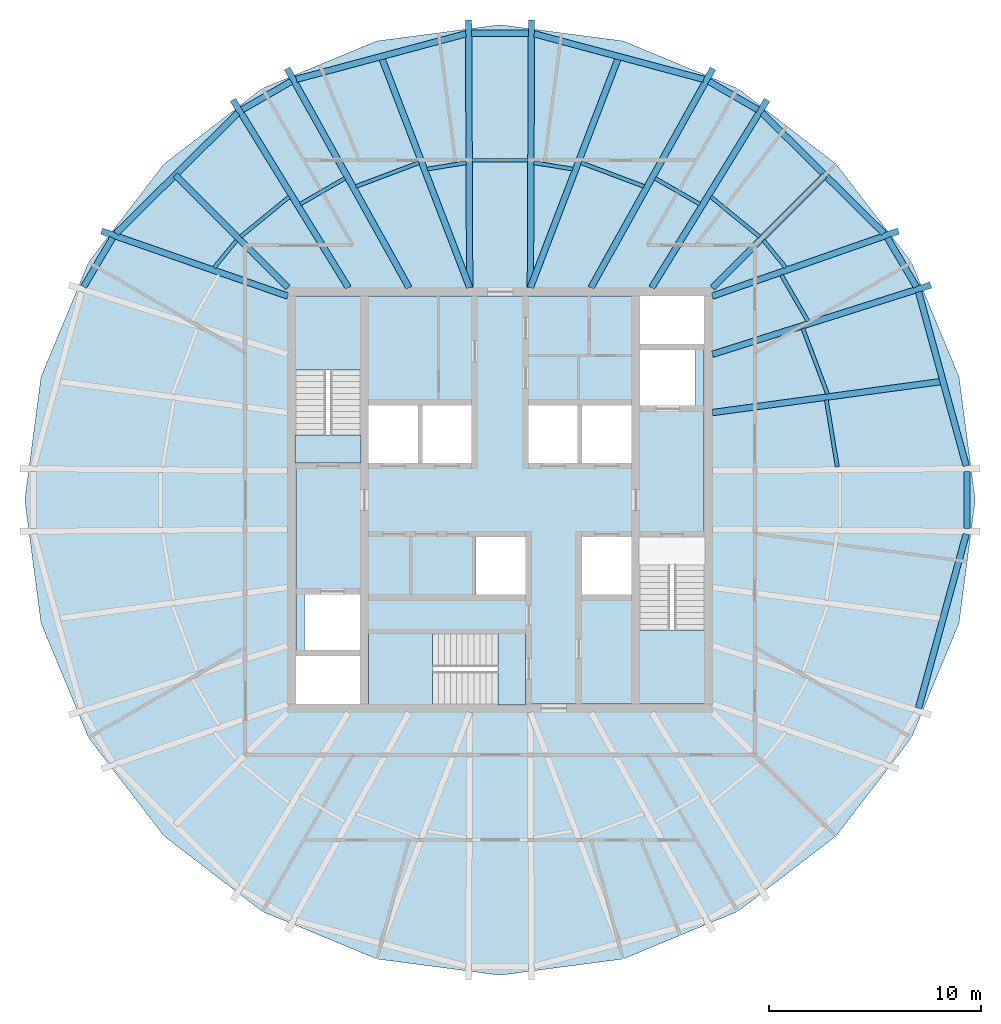
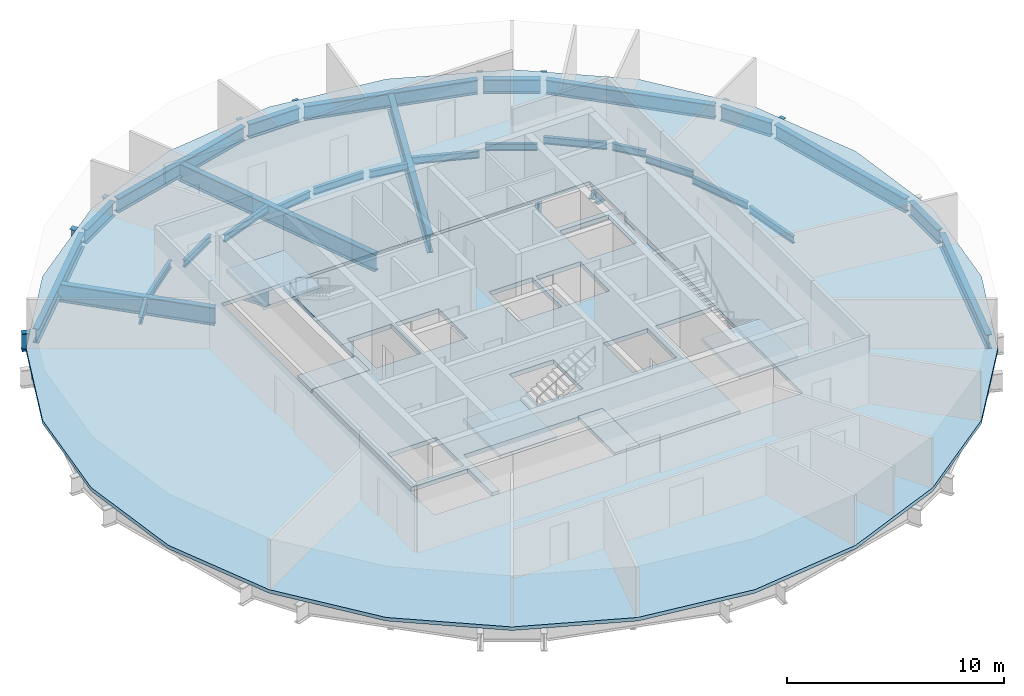
# One storey, part 2 of 6: 40 beams, 7 slabs, 3 elements without a shape of their own.
"""IFC4 building model written with IfcOpenShell, lengths in metres."""

from ifc_helpers import new_model, si_unit, direction, frame, origin, origin_2d, place, context, subcontext, project, spatial, polyline, i_section, outline, extrude, material, layer, layer_set, material_profile, profile_set, type_object, element, aggregate, save


model = new_model("IFC4")

# Units and contexts
model_context = context("Model", 3, precision=1e-05, world=origin(), true_north=direction((0.0, 1.0)))
body_context = subcontext(model_context, "Body", "Model", "MODEL_VIEW")
ifc_project = project(units=[si_unit("LENGTHUNIT", "METRE"), si_unit("AREAUNIT", "SQUARE_METRE"), si_unit("VOLUMEUNIT", "CUBIC_METRE"), si_unit("PLANEANGLEUNIT", "RADIAN"), si_unit("MASSUNIT", "GRAM", prefix="KILO")], contexts=[model_context])

# Site, building, storey
site_placement = place(None, origin())
site = spatial("IfcSite", under=ifc_project, at=site_placement, CompositionType="ELEMENT")
building_placement = place(site_placement, origin())
building = spatial("IfcBuilding", under=site, at=building_placement, Name="Golbaran Civic Tower", CompositionType="ELEMENT")
storey_placement = place(building_placement, frame((0.0, 0.0, 252.0)))
storey = spatial("IfcBuildingStorey", under=building, at=storey_placement, Name="L61", CompositionType="ELEMENT", Elevation=252.0)

# Beams
ifc_material_1 = material(Name="Steel S355", Category="steel")
ifc_material_profile_1 = material_profile(ifc_material_1, i_section(OverallWidth=0.300048828125, OverallDepth=0.800048828125, WebThickness=0.017578125, FlangeThickness=0.032958984375, FilletRadius=0.030029296875, at=origin_2d()), Name="HEB 800")
ifc_profile_set_1 = profile_set([ifc_material_profile_1], Name="Steel S355")
beam_type_1 = type_object("IfcBeamType", Name="EDGE BEAM HEB 800", PredefinedType="BEAM", material=ifc_profile_set_1)
beam_1_placement = place(storey_placement, frame((21.945068359375, 1.604248046875, -0.60009765625), z_axis=(-0.2639854018, 0.964526675441, 0.0), x_axis=(-0.964526675441, -0.2639854018, 0.0)))
element("IfcBeam", 1, at=beam_1_placement, inside=storey, type_object=beam_type_1, Name="Edge beam 3.68 L61", PredefinedType="BEAM", context=body_context, shape_type="SweptSolid", body=[
    extrude(i_section(OverallWidth=0.300048828125, OverallDepth=0.800048828125, WebThickness=0.017578125, FlangeThickness=0.032958984375, FilletRadius=0.030029296875, at=origin_2d()), origin(), (0.0, 0.0, 1.0), 8.495361328125),
])
beam_2_placement = place(storey_placement, frame((19.600341796875, 10.03857421875, -0.60009765625), z_axis=(-0.509116713484, 0.860697491602, 0.0), x_axis=(-0.860697491602, -0.509116713484, 0.0)))
element("IfcBeam", 2, at=beam_2_placement, inside=storey, type_object=beam_type_1, Name="Edge beam 26.32 L61", PredefinedType="BEAM", context=body_context, shape_type="SweptSolid", body=[
    extrude(i_section(OverallWidth=0.300048828125, OverallDepth=0.800048828125, WebThickness=0.017578125, FlangeThickness=0.032958984375, FilletRadius=0.030029296875, at=origin_2d()), origin(), (0.0, 0.0, 1.0), 2.6748046875),
])
beam_3_placement = place(storey_placement, frame((18.068115234375, 12.556884765625, -0.60009765625), z_axis=(-0.711084081666, 0.703106982473, 0.0), x_axis=(-0.703106982473, -0.711084081666, 0.0)))
element("IfcBeam", 3, at=beam_3_placement, inside=storey, type_object=beam_type_1, Name="Edge beam 33.68 L61", PredefinedType="BEAM", context=body_context, shape_type="SweptSolid", body=[
    extrude(i_section(OverallWidth=0.300048828125, OverallDepth=0.800048828125, WebThickness=0.017578125, FlangeThickness=0.032958984375, FilletRadius=0.030029296875, at=origin_2d()), origin(), (0.0, 0.0, 1.0), 8.049072265625),
])
beam_4_placement = place(storey_placement, frame((12.136962890625, 18.375244140625, -0.60009765625), z_axis=(-0.866179473096, 0.499733049124, 0.0), x_axis=(-0.499733049124, -0.866179473096, 0.0)))
element("IfcBeam", 4, at=beam_4_placement, inside=storey, type_object=beam_type_1, Name="Edge beam 56.32 L61", PredefinedType="BEAM", context=body_context, shape_type="SweptSolid", body=[
    extrude(i_section(OverallWidth=0.300048828125, OverallDepth=0.800048828125, WebThickness=0.017578125, FlangeThickness=0.032958984375, FilletRadius=0.030029296875, at=origin_2d()), origin(), (0.0, 0.0, 1.0), 2.65966796875),
])
beam_5_placement = place(storey_placement, frame((9.59130859375, 19.803955078125, -0.60009765625), z_axis=(-0.965846984798, 0.259113106492, 0.0), x_axis=(-0.259113106492, -0.965846984798, 0.0)))
element("IfcBeam", 5, at=beam_5_placement, inside=storey, type_object=beam_type_1, Name="Edge beam 63.68 L61", PredefinedType="BEAM", context=body_context, shape_type="SweptSolid", body=[
    extrude(i_section(OverallWidth=0.300048828125, OverallDepth=0.800048828125, WebThickness=0.017578125, FlangeThickness=0.032958984375, FilletRadius=0.030029296875, at=origin_2d()), origin(), (0.0, 0.0, 1.0), 8.26416015625),
])
beam_6_placement = place(storey_placement, frame((1.349365234375, 21.980224609375, -0.60009765625), z_axis=(-1.0, 0.0, 0.0), x_axis=(0.0, -1.0, 0.0)))
element("IfcBeam", 6, at=beam_6_placement, inside=storey, type_object=beam_type_1, Name="Edge beam 86.32 L61", PredefinedType="BEAM", context=body_context, shape_type="SweptSolid", body=[
    extrude(i_section(OverallWidth=0.300048828125, OverallDepth=0.800048828125, WebThickness=0.017578125, FlangeThickness=0.032958984375, FilletRadius=0.030029296875, at=origin_2d()), origin(), (0.0, 0.0, 1.0), 2.69873046875),
])
beam_7_placement = place(storey_placement, frame((-1.609375, 21.9453125, -0.60009765625), z_axis=(-0.965846984798, -0.259113106492, 0.0), x_axis=(0.259113106492, -0.965846984798, 0.0)))
element("IfcBeam", 7, at=beam_7_placement, inside=storey, type_object=beam_type_1, Name="Edge beam 93.68 L61", PredefinedType="BEAM", context=body_context, shape_type="SweptSolid", body=[
    extrude(i_section(OverallWidth=0.300048828125, OverallDepth=0.800048828125, WebThickness=0.017578125, FlangeThickness=0.032958984375, FilletRadius=0.030029296875, at=origin_2d()), origin(), (0.0, 0.0, 1.0), 8.26416015625),
])
beam_8_placement = place(storey_placement, frame((-9.833251953125, 19.704345703125, -0.60009765625), z_axis=(-0.866179473096, -0.499733049124, 0.0), x_axis=(0.499733049124, -0.866179473096, 0.0)))
element("IfcBeam", 8, at=beam_8_placement, inside=storey, type_object=beam_type_1, Name="Edge beam 116.32 L61", PredefinedType="BEAM", context=body_context, shape_type="SweptSolid", body=[
    extrude(i_section(OverallWidth=0.300048828125, OverallDepth=0.800048828125, WebThickness=0.017578125, FlangeThickness=0.032958984375, FilletRadius=0.030029296875, at=origin_2d()), origin(), (0.0, 0.0, 1.0), 2.65966796875),
])
beam_9_placement = place(storey_placement, frame((-12.344482421875, 18.21630859375, -0.60009765625), z_axis=(-0.711084081666, -0.703106982473, 0.0), x_axis=(0.703106982473, -0.711084081666, 0.0)))
element("IfcBeam", 9, at=beam_9_placement, inside=storey, type_object=beam_type_1, Name="Edge beam 123.68 L61", PredefinedType="BEAM", context=body_context, shape_type="SweptSolid", body=[
    extrude(i_section(OverallWidth=0.300048828125, OverallDepth=0.800048828125, WebThickness=0.017578125, FlangeThickness=0.032958984375, FilletRadius=0.030029296875, at=origin_2d()), origin(), (0.0, 0.0, 1.0), 8.049072265625),
])
beam_10_placement = place(storey_placement, frame((-18.238525390625, 12.3408203125, -0.60009765625), z_axis=(-0.509116713484, -0.860697491602, 0.0), x_axis=(0.860697491602, -0.509116713484, 0.0)))
element("IfcBeam", 10, at=beam_10_placement, inside=storey, type_object=beam_type_1, Name="Edge beam 146.32 L61", PredefinedType="BEAM", context=body_context, shape_type="SweptSolid", body=[
    extrude(i_section(OverallWidth=0.300048828125, OverallDepth=0.800048828125, WebThickness=0.017578125, FlangeThickness=0.032958984375, FilletRadius=0.030029296875, at=origin_2d()), origin(), (0.0, 0.0, 1.0), 2.6748046875),
])
beam_11_placement = place(storey_placement, frame((19.702392578125, -9.79833984375, -0.60009765625), z_axis=(0.2639854018, 0.964526675441, 0.0), x_axis=(-0.964526675441, 0.2639854018, 0.0)))
element("IfcBeam", 11, at=beam_11_placement, inside=storey, type_object=beam_type_1, Name="Edge beam 333.68 L61", PredefinedType="BEAM", context=body_context, shape_type="SweptSolid", body=[
    extrude(i_section(OverallWidth=0.300048828125, OverallDepth=0.800048828125, WebThickness=0.017578125, FlangeThickness=0.032958984375, FilletRadius=0.030029296875, at=origin_2d()), origin(), (0.0, 0.0, 1.0), 8.495361328125),
])
beam_12_placement = place(storey_placement, frame((21.98046875, -1.344482421875, -0.60009765625), z_axis=(0.0, 1.0, 0.0), x_axis=(-1.0, 0.0, 0.0)))
element("IfcBeam", 12, at=beam_12_placement, inside=storey, type_object=beam_type_1, Name="Edge beam 356.32 L61", PredefinedType="BEAM", context=body_context, shape_type="SweptSolid", body=[
    extrude(i_section(OverallWidth=0.300048828125, OverallDepth=0.800048828125, WebThickness=0.017578125, FlangeThickness=0.032958984375, FilletRadius=0.030029296875, at=origin_2d()), origin(), (0.0, 0.0, 1.0), 2.68896484375),
])
ifc_material_profile_2 = material_profile(ifc_material_1, i_section(OverallWidth=0.179931640625, OverallDepth=0.39990234375, WebThickness=0.008544921875, FlangeThickness=0.013427734375, FilletRadius=0.02099609375, at=origin_2d()), Name="IPE 400")
ifc_profile_set_2 = profile_set([ifc_material_profile_2], Name="Steel S355")
beam_type_2 = type_object("IfcBeamType", Name="FLOOR INFILL BEAM IPE 400", PredefinedType="BEAM", material=ifc_profile_set_2)
beam_13_placement = place(storey_placement, frame((15.879638671875, 1.552001953125, -0.39990234375), z_axis=(-0.162283906091, 0.98674410757, 0.0), x_axis=(-0.98674410757, -0.162283906091, 0.0)))
element("IfcBeam", 13, at=beam_13_placement, inside=storey, type_object=beam_type_2, Name="Infill beam 9.34 L61", PredefinedType="BEAM", context=body_context, shape_type="SweptSolid", body=[
    extrude(i_section(OverallWidth=0.179931640625, OverallDepth=0.39990234375, WebThickness=0.008544921875, FlangeThickness=0.013427734375, FilletRadius=0.02099609375, at=origin_2d()), origin(), (0.0, 0.0, 1.0), 3.201416015625),
])
beam_14_placement = place(storey_placement, frame((15.42041015625, 4.9814453125, -0.39990234375), z_axis=(-0.352881374098, 0.93566806925, 0.0), x_axis=(-0.93566806925, -0.352881374098, 0.0)))
element("IfcBeam", 14, at=beam_14_placement, inside=storey, type_object=beam_type_2, Name="Infill beam 20.66 L61", PredefinedType="BEAM", context=body_context, shape_type="SweptSolid", body=[
    extrude(i_section(OverallWidth=0.179931640625, OverallDepth=0.39990234375, WebThickness=0.008544921875, FlangeThickness=0.013427734375, FilletRadius=0.02099609375, at=origin_2d()), origin(), (0.0, 0.0, 1.0), 3.301513671875),
])
beam_15_placement = place(storey_placement, frame((14.496826171875, 8.419921875, -0.39990234375), z_axis=(-0.499997360652, 0.866026927608, 0.0), x_axis=(-0.866026927608, -0.499997360652, 0.0)))
element("IfcBeam", 15, at=beam_15_placement, inside=storey, type_object=beam_type_2, Name="Infill beam 30.00 L61", PredefinedType="BEAM", context=body_context, shape_type="SweptSolid", body=[
    extrude(i_section(OverallWidth=0.179931640625, OverallDepth=0.39990234375, WebThickness=0.008544921875, FlangeThickness=0.013427734375, FilletRadius=0.02099609375, at=origin_2d()), origin(), (0.0, 0.0, 1.0), 2.51123046875),
])
beam_16_placement = place(storey_placement, frame((13.451171875, 10.943603515625, -0.39990234375), z_axis=(-0.633865610673, 0.773443202573, 0.0), x_axis=(-0.773443202573, -0.633865610673, 0.0)))
element("IfcBeam", 16, at=beam_16_placement, inside=storey, type_object=beam_type_2, Name="Infill beam 39.34 L61", PredefinedType="BEAM", context=body_context, shape_type="SweptSolid", body=[
    extrude(i_section(OverallWidth=0.179931640625, OverallDepth=0.39990234375, WebThickness=0.008544921875, FlangeThickness=0.013427734375, FilletRadius=0.02099609375, at=origin_2d()), origin(), (0.0, 0.0, 1.0), 1.651123046875),
])
beam_17_placement = place(storey_placement, frame((12.2119140625, 12.395751953125, -0.39990234375), z_axis=(-0.773398730405, 0.633919871756, 0.0), x_axis=(-0.633919871756, -0.773398730405, 0.0)))
element("IfcBeam", 17, at=beam_17_placement, inside=storey, type_object=beam_type_2, Name="Infill beam 50.66 L61", PredefinedType="BEAM", context=body_context, shape_type="SweptSolid", body=[
    extrude(i_section(OverallWidth=0.179931640625, OverallDepth=0.39990234375, WebThickness=0.008544921875, FlangeThickness=0.013427734375, FilletRadius=0.02099609375, at=origin_2d()), origin(), (0.0, 0.0, 1.0), 2.961669921875),
])
beam_18_placement = place(storey_placement, frame((9.404296875, 13.92822265625, -0.39990234375), z_axis=(-0.866036909293, 0.499980071345, 0.0), x_axis=(-0.499980071345, -0.866036909293, 0.0)))
element("IfcBeam", 18, at=beam_18_placement, inside=storey, type_object=beam_type_2, Name="Infill beam 60.00 L61", PredefinedType="BEAM", context=body_context, shape_type="SweptSolid", body=[
    extrude(i_section(OverallWidth=0.179931640625, OverallDepth=0.39990234375, WebThickness=0.008544921875, FlangeThickness=0.013427734375, FilletRadius=0.02099609375, at=origin_2d()), origin(), (0.0, 0.0, 1.0), 2.43359375),
])
beam_19_placement = place(storey_placement, frame((6.7841796875, 14.75830078125, -0.39990234375), z_axis=(-0.93568186267, 0.352844798559, 0.0), x_axis=(-0.352844798559, -0.93568186267, 0.0)))
element("IfcBeam", 19, at=beam_19_placement, inside=storey, type_object=beam_type_2, Name="Infill beam 69.34 L61", PredefinedType="BEAM", context=body_context, shape_type="SweptSolid", body=[
    extrude(i_section(OverallWidth=0.179931640625, OverallDepth=0.39990234375, WebThickness=0.008544921875, FlangeThickness=0.013427734375, FilletRadius=0.02099609375, at=origin_2d()), origin(), (0.0, 0.0, 1.0), 3.169677734375),
])
beam_20_placement = place(storey_placement, frame((3.42529296875, 15.57763671875, -0.39990234375), z_axis=(-0.986759112709, 0.162192643128, 0.0), x_axis=(-0.162192643128, -0.986759112709, 0.0)))
element("IfcBeam", 20, at=beam_20_placement, inside=storey, type_object=beam_type_2, Name="Infill beam 80.66 L61", PredefinedType="BEAM", context=body_context, shape_type="SweptSolid", body=[
    extrude(i_section(OverallWidth=0.179931640625, OverallDepth=0.39990234375, WebThickness=0.008544921875, FlangeThickness=0.013427734375, FilletRadius=0.02099609375, at=origin_2d()), origin(), (0.0, 0.0, 1.0), 1.866455078125),
])
beam_21_placement = place(storey_placement, frame((1.323974609375, 15.989990234375, -0.39990234375), z_axis=(-1.0, 0.0, 0.0), x_axis=(0.0, -1.0, 0.0)))
element("IfcBeam", 21, at=beam_21_placement, inside=storey, type_object=beam_type_2, Name="Infill beam 90.00 L61", PredefinedType="BEAM", context=body_context, shape_type="SweptSolid", body=[
    extrude(i_section(OverallWidth=0.179931640625, OverallDepth=0.39990234375, WebThickness=0.008544921875, FlangeThickness=0.013427734375, FilletRadius=0.02099609375, at=origin_2d()), origin(), (0.0, 0.0, 1.0), 2.64794921875),
])
beam_22_placement = place(storey_placement, frame((-1.58349609375, 15.88037109375, -0.39990234375), z_axis=(-0.986759112709, -0.162192643128, 0.0), x_axis=(0.162192643128, -0.986759112709, 0.0)))
element("IfcBeam", 22, at=beam_22_placement, inside=storey, type_object=beam_type_2, Name="Infill beam 99.34 L61", PredefinedType="BEAM", context=body_context, shape_type="SweptSolid", body=[
    extrude(i_section(OverallWidth=0.179931640625, OverallDepth=0.39990234375, WebThickness=0.008544921875, FlangeThickness=0.013427734375, FilletRadius=0.02099609375, at=origin_2d()), origin(), (0.0, 0.0, 1.0), 1.866455078125),
])
beam_23_placement = place(storey_placement, frame((-3.818359375, 15.876708984375, -0.39990234375), z_axis=(-0.93568186267, -0.352844798559, 0.0), x_axis=(0.352844798559, -0.93568186267, 0.0)))
element("IfcBeam", 23, at=beam_23_placement, inside=storey, type_object=beam_type_2, Name="Infill beam 110.66 L61", PredefinedType="BEAM", context=body_context, shape_type="SweptSolid", body=[
    extrude(i_section(OverallWidth=0.179931640625, OverallDepth=0.39990234375, WebThickness=0.008544921875, FlangeThickness=0.013427734375, FilletRadius=0.02099609375, at=origin_2d()), origin(), (0.0, 0.0, 1.0), 3.169677734375),
])
beam_24_placement = place(storey_placement, frame((-7.296630859375, 15.14501953125, -0.39990234375), z_axis=(-0.866036909293, -0.499980071345, 0.0), x_axis=(0.499980071345, -0.866036909293, 0.0)))
element("IfcBeam", 24, at=beam_24_placement, inside=storey, type_object=beam_type_2, Name="Infill beam 120.00 L61", PredefinedType="BEAM", context=body_context, shape_type="SweptSolid", body=[
    extrude(i_section(OverallWidth=0.179931640625, OverallDepth=0.39990234375, WebThickness=0.008544921875, FlangeThickness=0.013427734375, FilletRadius=0.02099609375, at=origin_2d()), origin(), (0.0, 0.0, 1.0), 2.43359375),
])
beam_25_placement = place(storey_placement, frame((-9.92138671875, 14.273193359375, -0.39990234375), z_axis=(-0.773398730405, -0.633919871756, 0.0), x_axis=(0.633919871756, -0.773398730405, 0.0)))
element("IfcBeam", 25, at=beam_25_placement, inside=storey, type_object=beam_type_2, Name="Infill beam 129.34 L61", PredefinedType="BEAM", context=body_context, shape_type="SweptSolid", body=[
    extrude(i_section(OverallWidth=0.179931640625, OverallDepth=0.39990234375, WebThickness=0.008544921875, FlangeThickness=0.013427734375, FilletRadius=0.02099609375, at=origin_2d()), origin(), (0.0, 0.0, 1.0), 2.961669921875),
])
beam_26_placement = place(storey_placement, frame((-12.404541015625, 12.220703125, -0.39990234375), z_axis=(-0.633865610673, -0.773443202573, 0.0), x_axis=(0.773443202573, -0.633865610673, 0.0)))
element("IfcBeam", 26, at=beam_26_placement, inside=storey, type_object=beam_type_2, Name="Infill beam 140.66 L61", PredefinedType="BEAM", context=body_context, shape_type="SweptSolid", body=[
    extrude(i_section(OverallWidth=0.179931640625, OverallDepth=0.39990234375, WebThickness=0.008544921875, FlangeThickness=0.013427734375, FilletRadius=0.02099609375, at=origin_2d()), origin(), (0.0, 0.0, 1.0), 1.651123046875),
])
ifc_material_profile_3 = material_profile(ifc_material_1, i_section(OverallWidth=0.300048828125, OverallDepth=1.0, WebThickness=0.01904296875, FlangeThickness=0.035888671875, FilletRadius=0.030029296875, at=origin_2d()), Name="HEB 1000")
ifc_profile_set_3 = profile_set([ifc_material_profile_3], Name="Steel S355")
beam_type_3 = type_object("IfcBeamType", Name="RADIAL FLOOR BEAM HEB 1000", PredefinedType="BEAM", material=ifc_profile_set_3)
beam_27_placement = place(storey_placement, frame((10.0, 6.857177734375, -0.7099609375), z_axis=(0.953197531935, 0.302348251381, 0.0), x_axis=(-0.302348251381, 0.953197531935, 0.0)))
element("IfcBeam", 27, at=beam_27_placement, inside=storey, type_object=beam_type_3, Name="Radial beam 26.32 L61", PredefinedType="BEAM", context=body_context, shape_type="SweptSolid", body=[
    extrude(i_section(OverallWidth=0.300048828125, OverallDepth=1.0, WebThickness=0.01904296875, FlangeThickness=0.035888671875, FilletRadius=0.030029296875, at=origin_2d()), origin(), (0.0, 0.0, 1.0), 10.78076171875),
])
beam_28_placement = place(storey_placement, frame((10.0, 9.60009765625, -0.7099609375), z_axis=(0.94403425844, 0.329847417592, 0.0), x_axis=(-0.329847417592, 0.94403425844, 0.0)))
element("IfcBeam", 28, at=beam_28_placement, inside=storey, type_object=beam_type_3, Name="Radial beam 33.68 L61", PredefinedType="BEAM", context=body_context, shape_type="SweptSolid", body=[
    extrude(i_section(OverallWidth=0.300048828125, OverallDepth=1.0, WebThickness=0.01904296875, FlangeThickness=0.035888671875, FilletRadius=0.030029296875, at=origin_2d()), origin(), (0.0, 0.0, 1.0), 9.275634765625),
])
beam_29_placement = place(storey_placement, frame((7.142822265625, 10.0, -0.7099609375), z_axis=(0.523554838501, 0.851991978297, 0.0), x_axis=(-0.851991978297, 0.523554838501, 0.0)))
element("IfcBeam", 29, at=beam_29_placement, inside=storey, type_object=beam_type_3, Name="Radial beam 56.32 L61", PredefinedType="BEAM", context=body_context, shape_type="SweptSolid", body=[
    extrude(i_section(OverallWidth=0.300048828125, OverallDepth=1.0, WebThickness=0.01904296875, FlangeThickness=0.035888671875, FilletRadius=0.030029296875, at=origin_2d()), origin(), (0.0, 0.0, 1.0), 10.370361328125),
])
beam_30_placement = place(storey_placement, frame((4.28564453125, 10.0, -0.7099609375), z_axis=(0.486164796605, 0.873867146963, 0.0), x_axis=(-0.873867146963, 0.486164796605, 0.0)))
element("IfcBeam", 30, at=beam_30_placement, inside=storey, type_object=beam_type_3, Name="Radial beam 63.68 L61", PredefinedType="BEAM", context=body_context, shape_type="SweptSolid", body=[
    extrude(i_section(OverallWidth=0.300048828125, OverallDepth=1.0, WebThickness=0.01904296875, FlangeThickness=0.035888671875, FilletRadius=0.030029296875, at=origin_2d()), origin(), (0.0, 0.0, 1.0), 11.795166015625),
])
for number, where, z_axis, x_axis, name in (
    (31, (1.428466796875, 10.0, -0.7099609375), (0.004244888196, 0.999990990422, 0.0), (-0.999990990422, 0.004244888196, 0.0), "Radial beam 86.32 L61"),
    (32, (-1.428466796875, 10.0, -0.7099609375), (-0.004244888196, 0.999990990422, 0.0), (-0.999990990422, -0.004244888196, 0.0), "Radial beam 93.68 L61"),
):
    element("IfcBeam", number, at=place(storey_placement, frame(where, z_axis=z_axis, x_axis=x_axis)), inside=storey, type_object=beam_type_3, Name=name, PredefinedType="BEAM", context=body_context, shape_type="SweptSolid", body=[
        extrude(i_section(OverallWidth=0.300048828125, OverallDepth=1.0, WebThickness=0.01904296875, FlangeThickness=0.035888671875, FilletRadius=0.030029296875, at=origin_2d()), origin(), (0.0, 0.0, 1.0), 12.595458984375),
    ])
beam_31_placement = place(storey_placement, frame((-4.28564453125, 10.0, -0.7099609375), z_axis=(-0.486164796605, 0.873867146963, 0.0), x_axis=(-0.873867146963, -0.486164796605, 0.0)))
element("IfcBeam", 33, at=beam_31_placement, inside=storey, type_object=beam_type_3, Name="Radial beam 116.32 L61", PredefinedType="BEAM", context=body_context, shape_type="SweptSolid", body=[
    extrude(i_section(OverallWidth=0.300048828125, OverallDepth=1.0, WebThickness=0.01904296875, FlangeThickness=0.035888671875, FilletRadius=0.030029296875, at=origin_2d()), origin(), (0.0, 0.0, 1.0), 11.795166015625),
])
beam_32_placement = place(storey_placement, frame((-7.142822265625, 10.0, -0.7099609375), z_axis=(-0.523554838501, 0.851991978297, 0.0), x_axis=(-0.851991978297, -0.523554838501, 0.0)))
element("IfcBeam", 34, at=beam_32_placement, inside=storey, type_object=beam_type_3, Name="Radial beam 123.68 L61", PredefinedType="BEAM", context=body_context, shape_type="SweptSolid", body=[
    extrude(i_section(OverallWidth=0.300048828125, OverallDepth=1.0, WebThickness=0.01904296875, FlangeThickness=0.035888671875, FilletRadius=0.030029296875, at=origin_2d()), origin(), (0.0, 0.0, 1.0), 10.370361328125),
])
beam_33_placement = place(storey_placement, frame((-10.0, 9.60009765625, -0.7099609375), z_axis=(-0.94403425844, 0.329847417592, 0.0), x_axis=(-0.329847417592, -0.94403425844, 0.0)))
element("IfcBeam", 35, at=beam_33_placement, inside=storey, type_object=beam_type_3, Name="Radial beam 146.32 L61", PredefinedType="BEAM", context=body_context, shape_type="SweptSolid", body=[
    extrude(i_section(OverallWidth=0.300048828125, OverallDepth=1.0, WebThickness=0.01904296875, FlangeThickness=0.035888671875, FilletRadius=0.030029296875, at=origin_2d()), origin(), (0.0, 0.0, 1.0), 9.275634765625),
])
ifc_material_profile_4 = material_profile(ifc_material_1, i_section(OverallWidth=0.300048828125, OverallDepth=1.0, WebThickness=0.01904296875, FlangeThickness=0.035888671875, FilletRadius=0.030029296875, at=origin_2d()), Name="HEB 1000")
ifc_profile_set_4 = profile_set([ifc_material_profile_4], Name="Steel S355")
beam_type_4 = type_object("IfcBeamType", Name="SECONDARY FLOOR BEAM HEB 1000", PredefinedType="BEAM", material=ifc_profile_set_4)
beam_34_placement = place(storey_placement, frame((10.0, 4.1142578125, -0.7099609375), z_axis=(0.990910146162, 0.13452539624, 0.0), x_axis=(-0.13452539624, 0.990910146162, 0.0)))
element("IfcBeam", 36, at=beam_34_placement, inside=storey, type_object=beam_type_4, Name="Secondary beam 15.00 L61", PredefinedType="BEAM", context=body_context, shape_type="SweptSolid", body=[
    extrude(i_section(OverallWidth=0.300048828125, OverallDepth=1.0, WebThickness=0.01904296875, FlangeThickness=0.035888671875, FilletRadius=0.030029296875, at=origin_2d()), origin(), (0.0, 0.0, 1.0), 10.954345703125),
])
beam_35_placement = place(storey_placement, frame((10.0, 10.0, -0.7099609375), z_axis=(0.707106781187, 0.707106781187, 0.0), x_axis=(-0.707106781187, 0.707106781187, 0.0)))
element("IfcBeam", 37, at=beam_35_placement, inside=storey, type_object=beam_type_4, Name="Secondary beam 45.00 L61", PredefinedType="BEAM", context=body_context, shape_type="SweptSolid", body=[
    extrude(i_section(OverallWidth=0.300048828125, OverallDepth=1.0, WebThickness=0.01904296875, FlangeThickness=0.035888671875, FilletRadius=0.030029296875, at=origin_2d()), origin(), (0.0, 0.0, 1.0), 7.490966796875),
])
for number, where, z_axis, x_axis, name in (
    (38, (1.428466796875, 10.0, -0.7099609375), (0.357634431113, 0.933861667316, 0.0), (-0.933861667316, 0.357634431113, 0.0), "Secondary beam 75.00 L61"),
    (39, (-1.428466796875, 10.0, -0.7099609375), (-0.357634431113, 0.933861667316, 0.0), (-0.933861667316, -0.357634431113, 0.0), "Secondary beam 105.00 L61"),
):
    element("IfcBeam", number, at=place(storey_placement, frame(where, z_axis=z_axis, x_axis=x_axis)), inside=storey, type_object=beam_type_4, Name=name, PredefinedType="BEAM", context=body_context, shape_type="SweptSolid", body=[
        extrude(i_section(OverallWidth=0.300048828125, OverallDepth=1.0, WebThickness=0.01904296875, FlangeThickness=0.035888671875, FilletRadius=0.030029296875, at=origin_2d()), origin(), (0.0, 0.0, 1.0), 11.646728515625),
    ])
beam_36_placement = place(storey_placement, frame((-10.0, 10.0, -0.7099609375), z_axis=(-0.707106781187, 0.707106781187, 0.0), x_axis=(-0.707106781187, -0.707106781187, 0.0)))
element("IfcBeam", 40, at=beam_36_placement, inside=storey, type_object=beam_type_4, Name="Secondary beam 135.00 L61", PredefinedType="BEAM", context=body_context, shape_type="SweptSolid", body=[
    extrude(i_section(OverallWidth=0.300048828125, OverallDepth=1.0, WebThickness=0.01904296875, FlangeThickness=0.035888671875, FilletRadius=0.030029296875, at=origin_2d()), origin(), (0.0, 0.0, 1.0), 7.490966796875),
])

# Slabs
ifc_material_2 = material(Name="Concrete LC30/33 lightweight on steel deck", Category="concrete")
ifc_layer_1 = layer(ifc_material_2, 0.199951171875, Name="Concrete LC30/33 lightweight on steel deck")
ifc_layer_set_1 = layer_set([ifc_layer_1], Name="Concrete LC30/33 lightweight on steel deck")
slab_type_1 = type_object("IfcSlabType", Name="COMPOSITE FLOOR SLAB 200", PredefinedType="FLOOR", material=ifc_layer_set_1)
slab_1_placement = place(storey_placement, frame((0.0, 0.0, -0.199951171875)))
element("IfcSlab", 41, at=slab_1_placement, inside=storey, type_object=slab_type_1, Name="Floor slab L61", PredefinedType="FLOOR", context=body_context, shape_type="SweptSolid", body=[
    extrude(outline(polyline([(19.3740234375, -11.185546875), (15.81884765625, -15.81884765625), (11.185546875, -19.3740234375), (5.7900390625, -21.609130859375), (0.0, -22.371337890625), (-5.7900390625, -21.609130859375), (-11.185546875, -19.3740234375), (-15.81884765625, -15.81884765625), (-19.3740234375, -11.185546875), (-21.609130859375, -5.7900390625), (-22.371337890625, 0.0), (-21.609130859375, 5.7900390625), (-19.3740234375, 11.185546875), (-15.81884765625, 15.81884765625), (-11.185546875, 19.3740234375), (-5.7900390625, 21.609130859375), (0.0, 22.371337890625), (5.7900390625, 21.609130859375), (11.185546875, 19.3740234375), (15.81884765625, 15.81884765625), (19.3740234375, 11.185546875), (21.609130859375, 5.7900390625), (22.371337890625, 0.0), (21.609130859375, -5.7900390625), (19.3740234375, -11.185546875)]), holes=[polyline([(-9.800048828125, 9.800048828125), (-9.800048828125, -9.800048828125), (9.800048828125, -9.800048828125), (9.800048828125, 9.800048828125), (-9.800048828125, 9.800048828125)])]), origin(), (0.0, 0.0, 1.0), 0.199951171875),
])
ifc_material_3 = material(Name="Concrete C35/45", Category="concrete")
ifc_layer_2 = layer(ifc_material_3, 0.25, Name="Concrete C35/45")
ifc_layer_set_2 = layer_set([ifc_layer_2], Name="Concrete C35/45")
slab_type_2 = type_object("IfcSlabType", Name="CORE FLOOR SLAB 250", PredefinedType="FLOOR", material=ifc_layer_set_2)
slab_2_placement = place(storey_placement, frame((0.0, 0.0, -0.25)))
element("IfcSlab", 42, at=slab_2_placement, inside=storey, type_object=slab_type_2, Name="Core floor slab L61", PredefinedType="FLOOR", context=body_context, shape_type="SweptSolid", body=[
    extrude(outline(polyline([(6.60009765625, -1.75), (6.60009765625, -9.60009765625), (1.199951171875, -9.60009765625), (1.199951171875, -6.300048828125), (-6.199951171875, -6.300048828125), (-6.199951171875, -9.60009765625), (-6.60009765625, -9.60009765625), (-6.60009765625, -7.35009765625), (-9.60009765625, -7.35009765625), (-9.60009765625, 1.75), (-6.60009765625, 1.75), (-6.60009765625, 9.60009765625), (6.60009765625, 9.60009765625), (6.60009765625, 7.35009765625), (9.60009765625, 7.35009765625), (9.60009765625, -1.75), (6.60009765625, -1.75)]), holes=[polyline([(9.199951171875, 7.050048828125), (6.60009765625, 7.050048828125), (6.60009765625, 4.449951171875), (9.199951171875, 4.449951171875), (9.199951171875, 7.050048828125)]), polyline([(6.199951171875, -1.75), (3.85009765625, -1.75), (3.85009765625, -4.449951171875), (6.199951171875, -4.449951171875), (6.199951171875, -1.75)]), polyline([(6.199951171875, 4.449951171875), (3.85009765625, 4.449951171875), (3.85009765625, 1.75), (6.199951171875, 1.75), (6.199951171875, 4.449951171875)]), polyline([(3.64990234375, 4.449951171875), (1.35009765625, 4.449951171875), (1.35009765625, 1.75), (3.64990234375, 1.75), (3.64990234375, 4.449951171875)]), polyline([(-1.14990234375, -1.75), (-1.14990234375, -4.449951171875), (1.199951171875, -4.449951171875), (1.199951171875, -1.75), (-1.14990234375, -1.75)]), polyline([(-1.35009765625, 4.449951171875), (-3.64990234375, 4.449951171875), (-3.64990234375, 1.75), (-1.35009765625, 1.75), (-1.35009765625, 4.449951171875)]), polyline([(-3.85009765625, 4.449951171875), (-6.199951171875, 4.449951171875), (-6.199951171875, 1.75), (-3.85009765625, 1.75), (-3.85009765625, 4.449951171875)]), polyline([(-6.60009765625, -4.449951171875), (-9.199951171875, -4.449951171875), (-9.199951171875, -7.050048828125), (-6.60009765625, -7.050048828125), (-6.60009765625, -4.449951171875)])]), origin(), (0.0, 0.0, 1.0), 0.25),
])

# Stair, slab
stair_type_1 = type_object("IfcStairType", Name="EXIT STAIR 3000 x 7850, 4000 RISE", PredefinedType="HALF_TURN_STAIR", material=ifc_material_3)
stair_1_placement = place(storey_placement, origin())
stair_1 = element("IfcStair", 43, at=stair_1_placement, inside=storey, type_object=stair_type_1, Name="Stair S1 L61", PredefinedType="HALF_TURN_STAIR")
ifc_layer_3 = layer(ifc_material_3, 0.199951171875, Name="Concrete C35/45")
ifc_layer_set_3 = layer_set([ifc_layer_3], Name="Concrete C35/45")
slab_type_3 = type_object("IfcSlabType", Name="STAIR LANDING 200", PredefinedType="LANDING", material=ifc_layer_set_3)
slab_3_placement = place(storey_placement, frame((0.0, 0.0, 1.800048828125)))
slab_3 = element("IfcSlab", 44, at=slab_3_placement, type_object=slab_type_3, Name="ST30078-40 landing 1", PredefinedType="LANDING", context=body_context, shape_type="SweptSolid", body=[
    extrude(outline(polyline([(-9.64990234375, 6.125), (-9.64990234375, 9.60009765625), (-6.550048828125, 9.60009765625), (-6.550048828125, 6.125), (-9.64990234375, 6.125)])), origin(), (0.0, 0.0, 1.0), 0.199951171875),
])
aggregate(stair_1, [slab_3])

# Slab
slab_4_placement = place(storey_placement, frame((0.0, 0.0, -0.199951171875)))
element("IfcSlab", 45, at=slab_4_placement, inside=storey, type_object=slab_type_3, Name="Stair S1 floor landing L61", PredefinedType="LANDING", context=body_context, shape_type="SweptSolid", body=[
    extrude(outline(polyline([(-9.64990234375, 1.75), (-9.64990234375, 3.054931640625), (-6.550048828125, 3.054931640625), (-6.550048828125, 1.75), (-9.64990234375, 1.75)])), origin(), (0.0, 0.0, 1.0), 0.199951171875),
])

# Stair, slab
stair_2_placement = place(storey_placement, origin())
stair_2 = element("IfcStair", 46, at=stair_2_placement, inside=storey, type_object=stair_type_1, Name="Stair S2 L61", PredefinedType="HALF_TURN_STAIR")
slab_5_placement = place(storey_placement, frame((0.0, 0.0, 1.800048828125)))
slab_5 = element("IfcSlab", 47, at=slab_5_placement, type_object=slab_type_3, Name="ST30078-40 landing 1", PredefinedType="LANDING", context=body_context, shape_type="SweptSolid", body=[
    extrude(outline(polyline([(9.64990234375, -6.125), (9.64990234375, -9.60009765625), (6.550048828125, -9.60009765625), (6.550048828125, -6.125), (9.64990234375, -6.125)])), origin(), (0.0, 0.0, 1.0), 0.199951171875),
])
aggregate(stair_2, [slab_5])

stair_type_2 = type_object("IfcStairType", Name="EXIT STAIR 3300 x 7400, 4000 RISE", PredefinedType="HALF_TURN_STAIR", material=ifc_material_3)
stair_3_placement = place(storey_placement, origin())
stair_3 = element("IfcStair", 48, at=stair_3_placement, inside=storey, type_object=stair_type_2, Name="Stair S3 L61", PredefinedType="HALF_TURN_STAIR")
slab_6_placement = place(storey_placement, frame((0.0, 0.0, 1.800048828125)))
slab_6 = element("IfcSlab", 49, at=slab_6_placement, type_object=slab_type_3, Name="ST33074-40 landing 1", PredefinedType="LANDING", context=body_context, shape_type="SweptSolid", body=[
    extrude(outline(polyline([(-3.175048828125, -9.64990234375), (-6.199951171875, -9.64990234375), (-6.199951171875, -6.25), (-3.175048828125, -6.25), (-3.175048828125, -9.64990234375)])), origin(), (0.0, 0.0, 1.0), 0.199951171875),
])
aggregate(stair_3, [slab_6])

# Slab
slab_7_placement = place(storey_placement, frame((0.0, 0.0, -0.199951171875)))
element("IfcSlab", 50, at=slab_7_placement, inside=storey, type_object=slab_type_3, Name="Stair S3 floor landing L61", PredefinedType="LANDING", context=body_context, shape_type="SweptSolid", body=[
    extrude(outline(polyline([(1.199951171875, -9.64990234375), (-0.10498046875, -9.64990234375), (-0.10498046875, -6.25), (1.199951171875, -6.25), (1.199951171875, -9.64990234375)])), origin(), (0.0, 0.0, 1.0), 0.199951171875),
])

save(model, "model.ifc")
